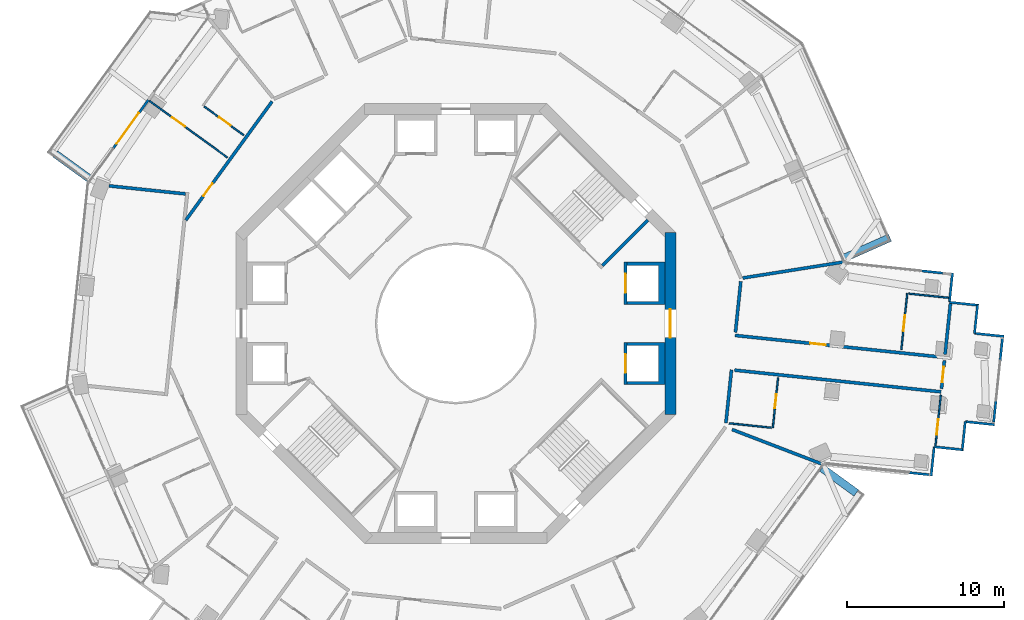
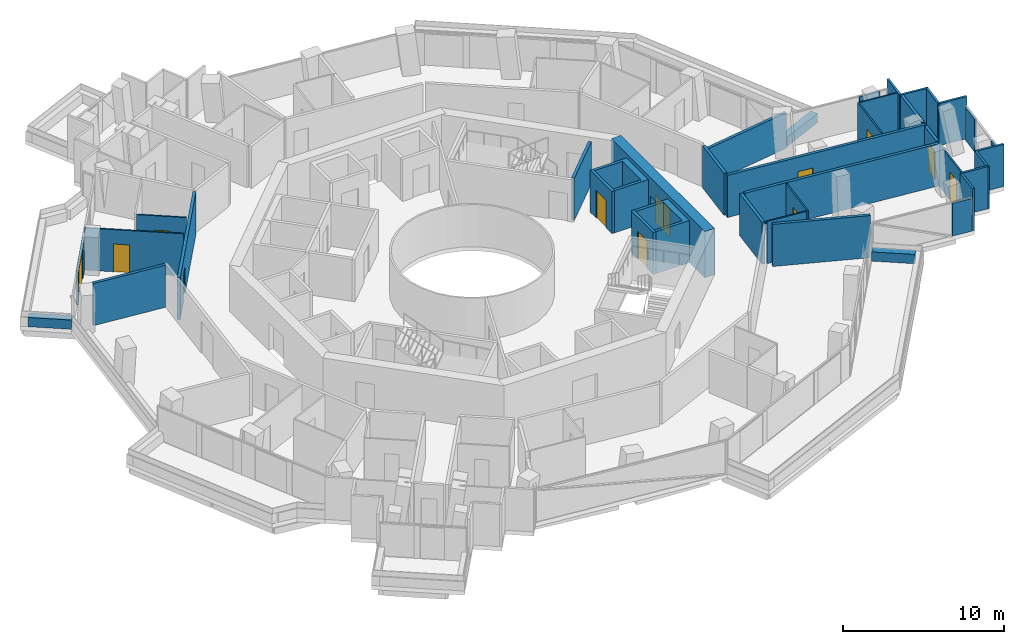
# One storey, part 18 of 23: 39 walls, 12 doors, 12 openings.
"""IFC4 building model written with IfcOpenShell, lengths in metres."""

from ifc_helpers import new_model, si_unit, direction, frame, frame_2d, origin, place, context, subcontext, project, spatial, polyline, rectangle, outline, extrude, material, layer, layer_set, type_object, element, fill, save


model = new_model("IFC4")

# Units and contexts
model_context = context("Model", 3, precision=1e-05, world=origin(), true_north=direction((0.0, 1.0)))
body_context = subcontext(model_context, "Body", "Model", "MODEL_VIEW")
ifc_project = project(units=[si_unit("LENGTHUNIT", "METRE"), si_unit("AREAUNIT", "SQUARE_METRE"), si_unit("VOLUMEUNIT", "CUBIC_METRE"), si_unit("PLANEANGLEUNIT", "RADIAN"), si_unit("MASSUNIT", "GRAM", prefix="KILO")], contexts=[model_context])

# Site, building, storey
site_placement = place(None, origin())
site = spatial("IfcSite", under=ifc_project, at=site_placement, CompositionType="ELEMENT")
building_placement = place(site_placement, origin())
building = spatial("IfcBuilding", under=site, at=building_placement, Name="Verdalira Terraces Hotel", CompositionType="ELEMENT")
storey_placement = place(building_placement, frame((0.0, 0.0, 133.0)))
storey = spatial("IfcBuildingStorey", under=building, at=storey_placement, Name="L31", CompositionType="ELEMENT", Elevation=133.0)

# Walls
ifc_material_1 = material(Name="Concrete C40", Category="concrete")
ifc_layer_1 = layer(ifc_material_1, 0.5)
ifc_layer_set_1 = layer_set([ifc_layer_1], Name="Balcony planter trough with tree")
wall_type_1 = type_object("IfcWallType", Name="Balcony planter trough with tree", PredefinedType="SOLIDWALL", material=ifc_layer_set_1)
for number, where, z_axis, x_axis, name in (
    (1, (-25.483398, 10.789307, 0.0), (0.0, 0.0, 1.0), (0.809025441, -0.587773626, 0.0), "Balcony planter"),
    (2, (25.483398, -10.789307, 0.0), (0.0, 0.0, 1.0), (-0.809025441, 0.587773626, 0.0), "Balcony planter"),
):
    element("IfcWall", number, at=place(storey_placement, frame(where, z_axis=z_axis, x_axis=x_axis)), inside=storey, type_object=wall_type_1, Name=name, PredefinedType="SOLIDWALL", context=body_context, shape_type="SweptSolid", body=[
        extrude(rectangle(XDim=2.698975, YDim=0.5, at=frame_2d((1.349609, 0.0))), origin(), (0.0, 0.0, 1.0), 0.699951),
    ])
wall_1_placement = place(storey_placement, frame((24.704102, 4.157471, 0.0), z_axis=(0.0, 0.0, 1.0), x_axis=(0.913528084, 0.406775663, 0.0)))
element("IfcWall", 3, at=wall_1_placement, inside=storey, type_object=wall_type_1, Name="Balcony planter", PredefinedType="SOLIDWALL", context=body_context, shape_type="SweptSolid", body=[
    extrude(rectangle(XDim=3.198975, YDim=0.5, at=frame_2d((1.599609, 0.0))), origin(), (0.0, 0.0, 1.0), 0.699951),
])

# Wall, opening, door
ifc_material_2 = material(Name="Moisture-resistant gypsum board partition")
ifc_layer_2 = layer(ifc_material_2, 0.10009765625)
ifc_layer_set_2 = layer_set([ifc_layer_2], Name="Bathroom partition 100 mm")
wall_type_2 = type_object("IfcWallType", Name="Bathroom partition 100 mm", PredefinedType="PARTITIONING", material=ifc_layer_set_2)
wall_2_placement = place(storey_placement, frame((-19.503906, 14.17041, 0.0), z_axis=(0.0, 0.0, 1.0), x_axis=(0.809020962, -0.587779791, 0.0)))
wall_2 = element("IfcWall", 4, at=wall_2_placement, inside=storey, type_object=wall_type_2, Name="Bathroom partition", PredefinedType="PARTITIONING", context=body_context, shape_type="SweptSolid", body=[
    extrude(rectangle(XDim=6.149902, YDim=0.100098, at=frame_2d((3.074951, 0.0))), origin(), (0.0, 0.0, 1.0), 3.189941),
])
opening_1_placement = place(wall_2_placement, frame((1.800049, 0.0, 0.0)))
opening_1 = element("IfcOpeningElement", 5, at=opening_1_placement, cuts=wall_2, Name="Opening L31-107", PredefinedType="OPENING", context=body_context, shape_type="SweptSolid", body=[
    extrude(rectangle(XDim=1.0, YDim=2.100098, at=frame_2d((0.5, 1.050049))), frame((0.0, 0.060059, 0.0), z_axis=(0.0, -1.0, 0.0), x_axis=(1.0, 0.0, 0.0)), (0.0, 0.0, 1.0), 0.120117),
])
ifc_material_3 = material(Name="Timber door", Category="wood")
door_type_1 = type_object("IfcDoorType", Name="Suite internal door 1000 x 2100", OperationType="NOTDEFINED", PredefinedType="DOOR", material=ifc_material_3)
door_1_placement = place(opening_1_placement, origin())
door_1 = element("IfcDoor", 6, at=door_1_placement, inside=storey, type_object=door_type_1, Name="Suite internal door 3103", OperationType="SINGLE_SWING_LEFT", OverallHeight=2.10009765625, OverallWidth=1.0, PredefinedType="DOOR", context=body_context, shape_type="SweptSolid", body=[
    extrude(rectangle(XDim=1.0, YDim=2.100098, at=frame_2d((0.5, 1.050049))), frame((0.0, 0.024902, 0.0), z_axis=(0.0, -1.0, 0.0), x_axis=(1.0, 0.0, 0.0)), (0.0, 0.0, 1.0), 0.050049),
])
fill(opening_1, door_1)

wall_3_placement = place(storey_placement, frame((-16.00293, 13.800293, 0.0), z_axis=(0.0, 0.0, 1.0), x_axis=(0.809018674, -0.58778294, 0.0)))
wall_3 = element("IfcWall", 7, at=wall_3_placement, inside=storey, type_object=wall_type_2, Name="Bathroom partition", PredefinedType="PARTITIONING", context=body_context, shape_type="SweptSolid", body=[
    extrude(rectangle(XDim=3.099854, YDim=0.100098, at=frame_2d((1.549805, 0.0))), origin(), (0.0, 0.0, 1.0), 3.189941),
])
opening_2_placement = place(wall_3_placement, frame((1.149902, 0.0, 0.0)))
opening_2 = element("IfcOpeningElement", 8, at=opening_2_placement, cuts=wall_3, Name="Opening L31-108", PredefinedType="OPENING", context=body_context, shape_type="SweptSolid", body=[
    extrude(rectangle(XDim=0.899902, YDim=2.100098, at=frame_2d((0.449951, 1.050049))), frame((0.0, 0.060059, 0.0), z_axis=(0.0, -1.0, 0.0), x_axis=(1.0, 0.0, 0.0)), (0.0, 0.0, 1.0), 0.120117),
])
ifc_material_4 = material(Name="Timber door", Category="wood")
door_type_2 = type_object("IfcDoorType", Name="Bathroom door 900 x 2100", OperationType="NOTDEFINED", PredefinedType="DOOR", material=ifc_material_4)
door_2_placement = place(opening_2_placement, origin())
door_2 = element("IfcDoor", 9, at=door_2_placement, inside=storey, type_object=door_type_2, Name="Bathroom door 3103", OperationType="SINGLE_SWING_LEFT", OverallHeight=2.10009765625, OverallWidth=0.89990234375, PredefinedType="DOOR", context=body_context, shape_type="SweptSolid", body=[
    extrude(rectangle(XDim=0.899902, YDim=2.100098, at=frame_2d((0.449951, 1.050049))), frame((0.0, 0.024902, 0.0), z_axis=(0.0, -1.0, 0.0), x_axis=(1.0, 0.0, 0.0)), (0.0, 0.0, 1.0), 0.050049),
])
fill(opening_2, door_2)

# Wall
wall_4_placement = place(storey_placement, frame((17.389648, -6.352539, 0.0), z_axis=(0.0, 0.0, 1.0), x_axis=(0.994521297, -0.104534153, 0.0)))
element("IfcWall", 10, at=wall_4_placement, inside=storey, type_object=wall_type_2, Name="Bathroom partition", PredefinedType="PARTITIONING", context=body_context, shape_type="SweptSolid", body=[
    extrude(rectangle(XDim=2.699951, YDim=0.100098, at=frame_2d((1.350098, 0.0))), origin(), (0.0, 0.0, 1.0), 3.189941),
])

# Wall, opening, door
wall_5_placement = place(storey_placement, frame((20.174316, -6.645264, 0.0), z_axis=(0.0, 0.0, 1.0), x_axis=(0.104517989, 0.994522996, 0.0)))
wall_5 = element("IfcWall", 11, at=wall_5_placement, inside=storey, type_object=wall_type_2, Name="Bathroom partition", PredefinedType="PARTITIONING", context=body_context, shape_type="SweptSolid", body=[
    extrude(rectangle(XDim=3.200195, YDim=0.100098, at=frame_2d((1.600098, 0.0))), origin(), (0.0, 0.0, 1.0), 3.189941),
])
opening_3_placement = place(wall_5_placement, frame((1.25, 0.0, 0.0)))
opening_3 = element("IfcOpeningElement", 12, at=opening_3_placement, cuts=wall_5, Name="Opening L31-123", PredefinedType="OPENING", context=body_context, shape_type="SweptSolid", body=[
    extrude(rectangle(XDim=0.899902, YDim=2.100098, at=frame_2d((0.449951, 1.050049))), frame((0.0, 0.060059, 0.0), z_axis=(0.0, -1.0, 0.0), x_axis=(1.0, 0.0, 0.0)), (0.0, 0.0, 1.0), 0.120117),
])
door_3_placement = place(opening_3_placement, origin())
door_3 = element("IfcDoor", 13, at=door_3_placement, inside=storey, type_object=door_type_2, Name="Bathroom door 3108", OperationType="SINGLE_SWING_LEFT", OverallHeight=2.10009765625, OverallWidth=0.89990234375, PredefinedType="DOOR", context=body_context, shape_type="SweptSolid", body=[
    extrude(rectangle(XDim=0.899902, YDim=2.100098, at=frame_2d((0.449951, 1.050049))), frame((0.0, 0.024902, 0.0), z_axis=(0.0, -1.0, 0.0), x_axis=(1.0, 0.0, 0.0)), (0.0, 0.0, 1.0), 0.050049),
])
fill(opening_3, door_3)

wall_6_placement = place(storey_placement, frame((28.728516, 1.907471, 0.0), z_axis=(0.0, 0.0, 1.0), x_axis=(-0.104504745, -0.994524388, 0.0)))
wall_6 = element("IfcWall", 14, at=wall_6_placement, inside=storey, type_object=wall_type_2, Name="Bathroom partition", PredefinedType="PARTITIONING", context=body_context, shape_type="SweptSolid", body=[
    extrude(rectangle(XDim=3.600098, YDim=0.100098, at=frame_2d((1.800049, 0.0))), origin(), (0.0, 0.0, 1.0), 3.189941),
])
opening_4_placement = place(wall_6_placement, frame((1.399902, 0.0, 0.0)))
opening_4 = element("IfcOpeningElement", 15, at=opening_4_placement, cuts=wall_6, Name="Opening L31-125", PredefinedType="OPENING", context=body_context, shape_type="SweptSolid", body=[
    extrude(rectangle(XDim=1.0, YDim=2.100098, at=frame_2d((0.5, 1.050049))), frame((0.0, 0.060059, 0.0), z_axis=(0.0, -1.0, 0.0), x_axis=(1.0, 0.0, 0.0)), (0.0, 0.0, 1.0), 0.120117),
])
ifc_material_5 = material(Name="Timber door", Category="wood")
door_type_3 = type_object("IfcDoorType", Name="Bathroom door 1000 x 2100", OperationType="NOTDEFINED", PredefinedType="DOOR", material=ifc_material_5)
door_4_placement = place(opening_4_placement, origin())
door_4 = element("IfcDoor", 16, at=door_4_placement, inside=storey, type_object=door_type_3, Name="Bathroom door 3109", OperationType="SINGLE_SWING_LEFT", OverallHeight=2.10009765625, OverallWidth=1.0, PredefinedType="DOOR", context=body_context, shape_type="SweptSolid", body=[
    extrude(rectangle(XDim=1.0, YDim=2.100098, at=frame_2d((0.5, 1.050049))), frame((0.0, 0.024902, 0.0), z_axis=(0.0, -1.0, 0.0), x_axis=(1.0, 0.0, 0.0)), (0.0, 0.0, 1.0), 0.050049),
])
fill(opening_4, door_4)

# Wall
wall_7_placement = place(storey_placement, frame((28.827881, 1.896973, 0.0), z_axis=(0.0, 0.0, 1.0), x_axis=(0.994530081, -0.104450551, 0.0)))
element("IfcWall", 17, at=wall_7_placement, inside=storey, type_object=wall_type_2, Name="Bathroom partition", PredefinedType="PARTITIONING", context=body_context, shape_type="SweptSolid", body=[
    extrude(rectangle(XDim=2.550049, YDim=0.100098, at=frame_2d((1.274902, 0.0))), origin(), (0.0, 0.0, 1.0), 3.189941),
])

# Wall, opening, door
wall_8_placement = place(storey_placement, frame((30.525146, -7.7854, 0.0), z_axis=(0.0, 0.0, 1.0), x_axis=(0.104505013, 0.99452436, 0.0)))
wall_8 = element("IfcWall", 18, at=wall_8_placement, inside=storey, type_object=wall_type_2, Name="Bathroom partition", PredefinedType="PARTITIONING", context=body_context, shape_type="SweptSolid", body=[
    extrude(rectangle(XDim=3.251953, YDim=0.100098, at=frame_2d((1.625977, 0.0))), origin(), (0.0, 0.0, 1.0), 3.189941),
])
opening_5_placement = place(wall_8_placement, frame((0.699951, 0.0, 0.0)))
opening_5 = element("IfcOpeningElement", 19, at=opening_5_placement, cuts=wall_8, Name="Opening L31-122", PredefinedType="OPENING", context=body_context, shape_type="SweptSolid", body=[
    extrude(rectangle(XDim=1.0, YDim=2.100098, at=frame_2d((0.5, 1.050049))), frame((0.0, 0.060059, 0.0), z_axis=(0.0, -1.0, 0.0), x_axis=(1.0, 0.0, 0.0)), (0.0, 0.0, 1.0), 0.120117),
])
door_5_placement = place(opening_5_placement, origin())
door_5 = element("IfcDoor", 20, at=door_5_placement, inside=storey, type_object=door_type_1, Name="Suite internal door 3108", OperationType="SINGLE_SWING_LEFT", OverallHeight=2.10009765625, OverallWidth=1.0, PredefinedType="DOOR", context=body_context, shape_type="SweptSolid", body=[
    extrude(rectangle(XDim=1.0, YDim=2.100098, at=frame_2d((0.5, 1.050049))), frame((0.0, 0.024902, 0.0), z_axis=(0.0, -1.0, 0.0), x_axis=(1.0, 0.0, 0.0)), (0.0, 0.0, 1.0), 0.050049),
])
fill(opening_5, door_5)

# Wall
ifc_material_6 = material(Name="Concrete C50", Category="concrete")
ifc_layer_3 = layer(ifc_material_6, 0.199951171875)
ifc_layer_set_3 = layer_set([ifc_layer_3], Name="Core RC wall 200 C50")
wall_type_3 = type_object("IfcWallType", Name="Core RC wall 200 C50", PredefinedType="SOLIDWALL", material=ifc_layer_set_3)
wall_9_placement = place(storey_placement, origin())
element("IfcWall", 21, at=wall_9_placement, inside=storey, type_object=wall_type_3, Name="L31 shaft wall E1", PredefinedType="SOLIDWALL", context=body_context, shape_type="SweptSolid", body=[
    extrude(outline(polyline([(13.300049, -3.899902), (10.899902, -3.899902), (10.899902, -3.699951), (12.899902, -3.699951), (12.899902, -1.399902), (10.899902, -1.399902), (10.899902, -1.199951), (13.300049, -1.199951), (13.300049, -3.899902)])), origin(), (0.0, 0.0, 1.0), 3.189941),
])

# Wall, opening, door
wall_10_placement = place(storey_placement, frame((10.800049, -1.199951, 0.0), z_axis=(0.0, 0.0, 1.0), x_axis=(0.0, -1.0, 0.0)))
wall_10 = element("IfcWall", 22, at=wall_10_placement, inside=storey, type_object=wall_type_3, Name="L31 shaft front wall E1", PredefinedType="SOLIDWALL", context=body_context, shape_type="SweptSolid", body=[
    extrude(rectangle(XDim=2.699951, YDim=0.199951, at=frame_2d((1.350098, 0.0))), origin(), (0.0, 0.0, 1.0), 3.189941),
])
opening_6_placement = place(wall_10_placement, frame((0.75, 0.0, 0.0)))
opening_6 = element("IfcOpeningElement", 23, at=opening_6_placement, cuts=wall_10, Name="Opening LD-L31-801", PredefinedType="OPENING", context=body_context, shape_type="SweptSolid", body=[
    extrude(rectangle(XDim=1.199951, YDim=2.100098, at=frame_2d((0.600098, 1.050049))), frame((0.0, 0.109863, 0.0), z_axis=(0.0, -1.0, 0.0), x_axis=(1.0, 0.0, 0.0)), (0.0, 0.0, 1.0), 0.219971),
])
ifc_material_7 = material(Name="Stainless steel", Category="steel")
door_type_4 = type_object("IfcDoorType", Name="Landing door 1200 x 2100", OperationType="NOTDEFINED", PredefinedType="DOOR", material=ifc_material_7)
door_6_placement = place(opening_6_placement, origin())
door_6 = element("IfcDoor", 24, at=door_6_placement, inside=storey, type_object=door_type_4, Name="Lift landing door LR1 L31", OperationType="DOUBLE_DOOR_SLIDING", OverallHeight=2.10009765625, OverallWidth=1.199951171875, PredefinedType="DOOR", context=body_context, shape_type="SweptSolid", body=[
    extrude(rectangle(XDim=1.199951, YDim=2.100098, at=frame_2d((0.600098, 1.050049))), frame((0.0, 0.024902, 0.0), z_axis=(0.0, -1.0, 0.0), x_axis=(1.0, 0.0, 0.0)), (0.0, 0.0, 1.0), 0.050049),
])
fill(opening_6, door_6)

# Wall
wall_11_placement = place(storey_placement, origin())
element("IfcWall", 25, at=wall_11_placement, inside=storey, type_object=wall_type_3, Name="L31 shaft wall E2", PredefinedType="SOLIDWALL", context=body_context, shape_type="SweptSolid", body=[
    extrude(outline(polyline([(13.300049, 3.899902), (13.300049, 1.199951), (10.899902, 1.199951), (10.899902, 1.399902), (12.899902, 1.399902), (12.899902, 3.699951), (10.899902, 3.699951), (10.899902, 3.899902), (13.300049, 3.899902)])), origin(), (0.0, 0.0, 1.0), 3.189941),
])

# Wall, opening, door
wall_12_placement = place(storey_placement, frame((10.800049, 1.199951, 0.0), z_axis=(0.0, 0.0, 1.0), x_axis=(0.0, 1.0, 0.0)))
wall_12 = element("IfcWall", 26, at=wall_12_placement, inside=storey, type_object=wall_type_3, Name="L31 shaft front wall E2", PredefinedType="SOLIDWALL", context=body_context, shape_type="SweptSolid", body=[
    extrude(rectangle(XDim=2.699951, YDim=0.199951, at=frame_2d((1.350098, 0.0))), origin(), (0.0, 0.0, 1.0), 3.189941),
])
opening_7_placement = place(wall_12_placement, frame((0.75, 0.0, 0.0)))
opening_7 = element("IfcOpeningElement", 27, at=opening_7_placement, cuts=wall_12, Name="Opening LD-L31-802", PredefinedType="OPENING", context=body_context, shape_type="SweptSolid", body=[
    extrude(rectangle(XDim=1.199951, YDim=2.100098, at=frame_2d((0.600098, 1.050049))), frame((0.0, 0.109863, 0.0), z_axis=(0.0, -1.0, 0.0), x_axis=(1.0, 0.0, 0.0)), (0.0, 0.0, 1.0), 0.219971),
])
door_7_placement = place(opening_7_placement, origin())
door_7 = element("IfcDoor", 28, at=door_7_placement, inside=storey, type_object=door_type_4, Name="Lift landing door LR2 L31", OperationType="DOUBLE_DOOR_SLIDING", OverallHeight=2.10009765625, OverallWidth=1.199951171875, PredefinedType="DOOR", context=body_context, shape_type="SweptSolid", body=[
    extrude(rectangle(XDim=1.199951, YDim=2.100098, at=frame_2d((0.600098, 1.050049))), frame((0.0, 0.024902, 0.0), z_axis=(0.0, -1.0, 0.0), x_axis=(1.0, 0.0, 0.0)), (0.0, 0.0, 1.0), 0.050049),
])
fill(opening_7, door_7)

# Wall
wall_13_placement = place(storey_placement, frame((9.33374, 3.677002, 0.0), z_axis=(0.0, 0.0, 1.0), x_axis=(0.707106781, 0.707106781, 0.0)))
element("IfcWall", 29, at=wall_13_placement, inside=storey, type_object=wall_type_3, Name="L31 stair ST1 end wall 1", PredefinedType="SOLIDWALL", context=body_context, shape_type="SweptSolid", body=[
    extrude(rectangle(XDim=4.100098, YDim=0.199951, at=frame_2d((2.050049, 0.0))), origin(), (0.0, 0.0, 1.0), 3.189941),
])

# Wall, opening, door
ifc_material_8 = material(Name="Concrete C60", Category="concrete")
ifc_layer_4 = layer(ifc_material_8, 0.699951171875)
ifc_layer_set_4 = layer_set([ifc_layer_4], Name="Core wall 700 C60")
wall_type_4 = type_object("IfcWallType", Name="Core wall 700 C60", PredefinedType="SHEAR", material=ifc_layer_set_4)
wall_14_placement = place(storey_placement, frame((13.649902, -5.799072, 0.0), z_axis=(0.0, 0.0, 1.0), x_axis=(0.0, 1.0, 0.0)))
wall_14 = element("IfcWall", 30, at=wall_14_placement, inside=storey, type_object=wall_type_4, Name="Core wall CW-L31-1", PredefinedType="SHEAR", context=body_context, shape_type="SweptSolid", body=[
    extrude(rectangle(XDim=11.598145, YDim=0.699951, at=frame_2d((5.799072, 0.0))), origin(), (0.0, 0.0, 1.0), 3.5),
])
opening_8_placement = place(wall_14_placement, frame((4.898926, 0.0, 0.0)))
opening_8 = element("IfcOpeningElement", 31, at=opening_8_placement, cuts=wall_14, Name="Opening L31-812", PredefinedType="OPENING", context=body_context, shape_type="SweptSolid", body=[
    extrude(rectangle(XDim=1.800049, YDim=2.100098, at=frame_2d((0.899902, 1.050049))), frame((0.0, 0.359863, 0.0), z_axis=(0.0, -1.0, 0.0), x_axis=(1.0, 0.0, 0.0)), (0.0, 0.0, 1.0), 0.719971),
])
ifc_material_9 = material(Name="Steel fire door", Category="steel")
door_type_5 = type_object("IfcDoorType", Name="Core entry door pair 1800 x 2100", OperationType="NOTDEFINED", PredefinedType="DOOR", material=ifc_material_9)
door_8_placement = place(opening_8_placement, origin())
door_8 = element("IfcDoor", 32, at=door_8_placement, inside=storey, type_object=door_type_5, Name="Core entry door L31 0", OperationType="DOUBLE_DOOR_SINGLE_SWING", OverallHeight=2.10009765625, OverallWidth=1.800048828125, PredefinedType="DOOR", context=body_context, shape_type="SweptSolid", body=[
    extrude(rectangle(XDim=1.800049, YDim=2.100098, at=frame_2d((0.899902, 1.050049))), frame((0.0, 0.024902, 0.0), z_axis=(0.0, -1.0, 0.0), x_axis=(1.0, 0.0, 0.0)), (0.0, 0.0, 1.0), 0.050049),
])
fill(opening_8, door_8)

# Walls
ifc_material_10 = material(Name="Fire-rated gypsum board wall")
ifc_layer_5 = layer(ifc_material_10, 0.199951171875)
ifc_layer_set_5 = layer_set([ifc_layer_5], Name="Demising wall 200 mm")
wall_type_5 = type_object("IfcWallType", Name="Demising wall 200 mm", PredefinedType="SOLIDWALL", material=ifc_layer_set_5)
wall_15_placement = place(storey_placement, frame((17.581299, -6.748779, 0.0), z_axis=(0.0, 0.0, 1.0), x_axis=(0.933578347, -0.358373367, 0.0)))
element("IfcWall", 33, at=wall_15_placement, inside=storey, type_object=wall_type_5, Name="Demising wall", PredefinedType="SOLIDWALL", context=body_context, shape_type="SweptSolid", body=[
    extrude(rectangle(XDim=6.131836, YDim=0.199951, at=frame_2d((3.065918, 0.0))), origin(), (0.0, 0.0, 1.0), 3.189941),
])
wall_16_placement = place(storey_placement, frame((31.136719, -1.967285, 0.0), z_axis=(0.0, 0.0, 1.0), x_axis=(0.104512817, 0.99452354, 0.0)))
element("IfcWall", 34, at=wall_16_placement, inside=storey, type_object=wall_type_5, Name="Demising wall", PredefinedType="SOLIDWALL", context=body_context, shape_type="SweptSolid", body=[
    extrude(rectangle(XDim=3.251709, YDim=0.199951, at=frame_2d((1.625977, 0.0))), origin(), (0.0, 0.0, 1.0), 3.189941),
])
ifc_material_11 = material(Name="Fire-rated gypsum board wall")
ifc_layer_6 = layer(ifc_material_11, 0.199951171875)
ifc_layer_set_6 = layer_set([ifc_layer_6], Name="Demising wall 200 mm to beam soffit")
wall_type_6 = type_object("IfcWallType", Name="Demising wall 200 mm to beam soffit", PredefinedType="SOLIDWALL", material=ifc_layer_set_6)
wall_17_placement = place(storey_placement, frame((18.260742, 2.89209, 0.0), z_axis=(0.0, 0.0, 1.0), x_axis=(0.987684586, 0.156458166, 0.0)))
element("IfcWall", 35, at=wall_17_placement, inside=storey, type_object=wall_type_6, Name="Demising wall", PredefinedType="SOLIDWALL", context=body_context, shape_type="SweptSolid", body=[
    extrude(rectangle(XDim=6.47583, YDim=0.199951, at=frame_2d((3.237793, 0.0))), origin(), (0.0, 0.0, 1.0), 2.689941),
])

# Wall, opening, door
ifc_material_12 = material(Name="Fire-rated gypsum board wall")
ifc_layer_7 = layer(ifc_material_12, 0.199951171875)
ifc_layer_set_7 = layer_set([ifc_layer_7], Name="Guest corridor wall 200 mm")
wall_type_7 = type_object("IfcWallType", Name="Guest corridor wall 200 mm", PredefinedType="SOLIDWALL", material=ifc_layer_set_7)
wall_18_placement = place(storey_placement, frame((-17.175293, 6.572266, 0.0), z_axis=(0.0, 0.0, 1.0), x_axis=(0.587764273, 0.809032236, 0.0)))
wall_18 = element("IfcWall", 36, at=wall_18_placement, inside=storey, type_object=wall_type_7, Name="Guest corridor wall", PredefinedType="SOLIDWALL", context=body_context, shape_type="SweptSolid", body=[
    extrude(rectangle(XDim=9.33667, YDim=0.199951, at=frame_2d((4.668457, 0.0))), origin(), (0.0, 0.0, 1.0), 3.189941),
])
opening_9_placement = place(wall_18_placement, frame((1.899902, 0.0, 0.0)))
opening_9 = element("IfcOpeningElement", 37, at=opening_9_placement, cuts=wall_18, Name="Opening L31-106", PredefinedType="OPENING", context=body_context, shape_type="SweptSolid", body=[
    extrude(rectangle(XDim=1.0, YDim=2.100098, at=frame_2d((0.5, 1.050049))), frame((0.0, 0.109863, 0.0), z_axis=(0.0, -1.0, 0.0), x_axis=(1.0, 0.0, 0.0)), (0.0, 0.0, 1.0), 0.219971),
])
ifc_material_13 = material(Name="Timber fire door", Category="wood")
door_type_6 = type_object("IfcDoorType", Name="Guest entry door 1000 x 2100", OperationType="NOTDEFINED", PredefinedType="DOOR", material=ifc_material_13)
door_9_placement = place(opening_9_placement, origin())
door_9 = element("IfcDoor", 38, at=door_9_placement, inside=storey, type_object=door_type_6, Name="Guest entry door 3103", OperationType="SINGLE_SWING_LEFT", OverallHeight=2.10009765625, OverallWidth=1.0, PredefinedType="DOOR", context=body_context, shape_type="SweptSolid", body=[
    extrude(rectangle(XDim=1.0, YDim=2.100098, at=frame_2d((0.5, 1.050049))), frame((0.0, 0.024902, 0.0), z_axis=(0.0, -1.0, 0.0), x_axis=(1.0, 0.0, 0.0)), (0.0, 0.0, 1.0), 0.050049),
])
fill(opening_9, door_9)

# Walls
wall_19_placement = place(storey_placement, frame((17.190674, -6.331543, 0.0), z_axis=(0.0, 0.0, 1.0), x_axis=(0.10455022, 0.994519608, 0.0)))
element("IfcWall", 39, at=wall_19_placement, inside=storey, type_object=wall_type_7, Name="Guest corridor wall", PredefinedType="SOLIDWALL", context=body_context, shape_type="SweptSolid", body=[
    extrude(rectangle(XDim=3.399902, YDim=0.199951, at=frame_2d((1.699951, 0.0))), origin(), (0.0, 0.0, 1.0), 3.189941),
])
wall_20_placement = place(storey_placement, frame((17.796875, -0.563477, 0.0), z_axis=(0.0, 0.0, 1.0), x_axis=(0.104524868, 0.994522273, 0.0)))
element("IfcWall", 40, at=wall_20_placement, inside=storey, type_object=wall_type_7, Name="Guest corridor wall", PredefinedType="SOLIDWALL", context=body_context, shape_type="SweptSolid", body=[
    extrude(rectangle(XDim=3.258301, YDim=0.199951, at=frame_2d((1.62915, 0.0))), origin(), (0.0, 0.0, 1.0), 3.189941),
])
wall_21_placement = place(storey_placement, frame((17.745117, -2.971191, 0.0), z_axis=(0.0, 0.0, 1.0), x_axis=(0.994522348, -0.10452416, 0.0)))
element("IfcWall", 41, at=wall_21_placement, inside=storey, type_object=wall_type_7, Name="Guest corridor wall", PredefinedType="SOLIDWALL", context=body_context, shape_type="SweptSolid", body=[
    extrude(rectangle(XDim=13.213135, YDim=0.199951, at=frame_2d((6.606445, 0.0))), origin(), (0.0, 0.0, 1.0), 3.189941),
])

# Wall, opening, door
wall_22_placement = place(storey_placement, frame((17.775879, -0.762207, 0.0), z_axis=(0.0, 0.0, 1.0), x_axis=(0.994521896, -0.104528454, 0.0)))
wall_22 = element("IfcWall", 42, at=wall_22_placement, inside=storey, type_object=wall_type_7, Name="Guest corridor wall", PredefinedType="SOLIDWALL", context=body_context, shape_type="SweptSolid", body=[
    extrude(rectangle(XDim=13.413574, YDim=0.199951, at=frame_2d((6.706787, 0.0))), origin(), (0.0, 0.0, 1.0), 3.189941),
])
opening_10_placement = place(wall_22_placement, frame((4.800049, 0.0, 0.0)))
opening_10 = element("IfcOpeningElement", 43, at=opening_10_placement, cuts=wall_22, Name="Opening L31-124", PredefinedType="OPENING", context=body_context, shape_type="SweptSolid", body=[
    extrude(rectangle(XDim=1.0, YDim=2.100098, at=frame_2d((0.5, 1.050049))), frame((0.0, 0.109863, 0.0), z_axis=(0.0, -1.0, 0.0), x_axis=(1.0, 0.0, 0.0)), (0.0, 0.0, 1.0), 0.219971),
])
door_10_placement = place(opening_10_placement, origin())
door_10 = element("IfcDoor", 44, at=door_10_placement, inside=storey, type_object=door_type_6, Name="Guest entry door 3109", OperationType="SINGLE_SWING_LEFT", OverallHeight=2.10009765625, OverallWidth=1.0, PredefinedType="DOOR", context=body_context, shape_type="SweptSolid", body=[
    extrude(rectangle(XDim=1.0, YDim=2.100098, at=frame_2d((0.5, 1.050049))), frame((0.0, 0.024902, 0.0), z_axis=(0.0, -1.0, 0.0), x_axis=(1.0, 0.0, 0.0)), (0.0, 0.0, 1.0), 0.050049),
])
fill(opening_10, door_10)

wall_23_placement = place(storey_placement, frame((31.095215, -2.361328, 0.0), z_axis=(0.0, 0.0, 1.0), x_axis=(-0.104473448, -0.994527676, 0.0)))
wall_23 = element("IfcWall", 45, at=wall_23_placement, inside=storey, type_object=wall_type_7, Name="Guest corridor wall", PredefinedType="SOLIDWALL", context=body_context, shape_type="SweptSolid", body=[
    extrude(rectangle(XDim=1.803955, YDim=0.199951, at=frame_2d((0.901855, 0.0))), origin(), (0.0, 0.0, 1.0), 3.189941),
])
opening_11_placement = place(wall_23_placement, frame((0.399902, 0.0, 0.0)))
opening_11 = element("IfcOpeningElement", 46, at=opening_11_placement, cuts=wall_23, Name="Opening L31-121", PredefinedType="OPENING", context=body_context, shape_type="SweptSolid", body=[
    extrude(rectangle(XDim=1.0, YDim=2.100098, at=frame_2d((0.5, 1.050049))), frame((0.0, 0.109863, 0.0), z_axis=(0.0, -1.0, 0.0), x_axis=(1.0, 0.0, 0.0)), (0.0, 0.0, 1.0), 0.219971),
])
door_11_placement = place(opening_11_placement, origin())
door_11 = element("IfcDoor", 47, at=door_11_placement, inside=storey, type_object=door_type_6, Name="Guest entry door 3108", OperationType="SINGLE_SWING_LEFT", OverallHeight=2.10009765625, OverallWidth=1.0, PredefinedType="DOOR", context=body_context, shape_type="SweptSolid", body=[
    extrude(rectangle(XDim=1.0, YDim=2.100098, at=frame_2d((0.5, 1.050049))), frame((0.0, 0.024902, 0.0), z_axis=(0.0, -1.0, 0.0), x_axis=(1.0, 0.0, 0.0)), (0.0, 0.0, 1.0), 0.050049),
])
fill(opening_11, door_11)

# Walls
ifc_material_14 = material(Name="Terracotta cladding", Category="masonry")
ifc_layer_8 = layer(ifc_material_14, 0.199951171875)
ifc_layer_set_8 = layer_set([ifc_layer_8], Name="Loggia back wall 200")
wall_type_8 = type_object("IfcWallType", Name="Loggia back wall 200", PredefinedType="SOLIDWALL", material=ifc_layer_set_8)
wall_24_placement = place(storey_placement, frame((-22.068359, 8.754639, 0.0), z_axis=(0.0, 0.0, 1.0), x_axis=(0.994525892, -0.104490432, 0.0)))
element("IfcWall", 48, at=wall_24_placement, inside=storey, type_object=wall_type_8, Name="Loggia side wall", PredefinedType="SOLIDWALL", context=body_context, shape_type="SweptSolid", body=[
    extrude(rectangle(XDim=4.904297, YDim=0.199951, at=frame_2d((2.452148, 0.0))), origin(), (0.0, 0.0, 1.0), 3.189941),
])
ifc_material_15 = material(Name="Terracotta cladding", Category="masonry")
ifc_layer_9 = layer(ifc_material_15, 0.14990234375)
ifc_layer_set_9 = layer_set([ifc_layer_9], Name="Terracotta clad wall 150")
wall_type_9 = type_object("IfcWallType", Name="Terracotta clad wall 150", PredefinedType="SOLIDWALL", material=ifc_layer_set_9)
wall_25_placement = place(storey_placement, frame((30.24707, -9.714844, 0.0), z_axis=(0.0, 0.0, 1.0), x_axis=(0.104427218, 0.994532531, 0.0)))
element("IfcWall", 49, at=wall_25_placement, inside=storey, type_object=wall_type_9, Name="Terracotta cladding wall", PredefinedType="SOLIDWALL", context=body_context, shape_type="SweptSolid", body=[
    extrude(rectangle(XDim=1.875, YDim=0.149902, at=frame_2d((0.9375, 0.0))), origin(), (0.0, 0.0, 1.0), 3.189941),
])
wall_26_placement = place(storey_placement, frame((30.442871, -7.850098, 0.0), z_axis=(0.0, 0.0, 1.0), x_axis=(0.994518079, -0.104564767, 0.0)))
element("IfcWall", 50, at=wall_26_placement, inside=storey, type_object=wall_type_9, Name="Terracotta cladding wall", PredefinedType="SOLIDWALL", context=body_context, shape_type="SweptSolid", body=[
    extrude(rectangle(XDim=1.800049, YDim=0.149902, at=frame_2d((0.899902, 0.0))), origin(), (0.0, 0.0, 1.0), 3.189941),
])
wall_27_placement = place(storey_placement, frame((32.225342, -8.112793, 0.0), z_axis=(0.0, 0.0, 1.0), x_axis=(0.104440743, 0.994531111, 0.0)))
element("IfcWall", 51, at=wall_27_placement, inside=storey, type_object=wall_type_9, Name="Terracotta cladding wall", PredefinedType="SOLIDWALL", context=body_context, shape_type="SweptSolid", body=[
    extrude(rectangle(XDim=1.874756, YDim=0.149902, at=frame_2d((0.9375, 0.0))), origin(), (0.0, 0.0, 1.0), 3.189941),
])
for number, where, z_axis, x_axis, name in (
    (52, (32.421143, -6.248291, 0.0), (0.0, 0.0, 1.0), (0.994532531, -0.104427218, 0.0), "Terracotta cladding wall"),
    (53, (34.876465, -0.825195, 0.0), (0.0, 0.0, 1.0), (-0.994519, 0.104556004, 0.0), "Terracotta cladding wall"),
):
    element("IfcWall", number, at=place(storey_placement, frame(where, z_axis=z_axis, x_axis=x_axis)), inside=storey, type_object=wall_type_9, Name=name, PredefinedType="SOLIDWALL", context=body_context, shape_type="SweptSolid", body=[
        extrude(rectangle(XDim=1.875, YDim=0.149902, at=frame_2d((0.9375, 0.0))), origin(), (0.0, 0.0, 1.0), 3.189941),
    ])
wall_28_placement = place(storey_placement, frame((33.011719, -0.62915, 0.0), z_axis=(0.0, 0.0, 1.0), x_axis=(0.104564767, 0.994518079, 0.0)))
element("IfcWall", 54, at=wall_28_placement, inside=storey, type_object=wall_type_9, Name="Terracotta cladding wall", PredefinedType="SOLIDWALL", context=body_context, shape_type="SweptSolid", body=[
    extrude(rectangle(XDim=1.800049, YDim=0.149902, at=frame_2d((0.899902, 0.0))), origin(), (0.0, 0.0, 1.0), 3.189941),
])
for number, where, z_axis, x_axis, name in (
    (55, (33.274658, 1.153076, 0.0), (0.0, 0.0, 1.0), (-0.994519, 0.104556004, 0.0), "Terracotta cladding wall"),
    (56, (31.409912, 1.349121, 0.0), (0.0, 0.0, 1.0), (0.104556004, 0.994519, 0.0), "Terracotta cladding wall"),
):
    element("IfcWall", number, at=place(storey_placement, frame(where, z_axis=z_axis, x_axis=x_axis)), inside=storey, type_object=wall_type_9, Name=name, PredefinedType="SOLIDWALL", context=body_context, shape_type="SweptSolid", body=[
        extrude(rectangle(XDim=1.875, YDim=0.149902, at=frame_2d((0.9375, 0.0))), origin(), (0.0, 0.0, 1.0), 3.189941),
    ])
ifc_material_16 = material(Name="Terracotta cladding", Category="masonry")
ifc_layer_10 = layer(ifc_material_16, 0.14990234375)
ifc_layer_set_10 = layer_set([ifc_layer_10], Name="Terracotta column pier 150")
wall_type_10 = type_object("IfcWallType", Name="Terracotta column pier 150", PredefinedType="SOLIDWALL", material=ifc_layer_set_10)
wall_29_placement = place(storey_placement, frame((28.852051, -9.49292, 0.0), z_axis=(0.0, 0.0, 1.0), x_axis=(0.994518131, -0.104564273, 0.0)))
element("IfcWall", 57, at=wall_29_placement, inside=storey, type_object=wall_type_10, Name="Terracotta column pier", PredefinedType="SOLIDWALL", context=body_context, shape_type="SweptSolid", body=[
    extrude(rectangle(XDim=1.265381, YDim=0.149902, at=frame_2d((0.632812, 0.0))), origin(), (0.0, 0.0, 1.0), 2.475098),
])
wall_30_placement = place(storey_placement, frame((34.227539, -6.282227, 0.0), z_axis=(0.0, 0.0, 1.0), x_axis=(0.104565457, 0.994518006, 0.0)))
element("IfcWall", 58, at=wall_30_placement, inside=storey, type_object=wall_type_10, Name="Terracotta column pier", PredefinedType="SOLIDWALL", context=body_context, shape_type="SweptSolid", body=[
    extrude(rectangle(XDim=1.384521, YDim=0.149902, at=frame_2d((0.692383, 0.0))), origin(), (0.0, 0.0, 1.0), 2.475098),
])
wall_31_placement = place(storey_placement, frame((34.638428, -2.373779, 0.0), z_axis=(0.0, 0.0, 1.0), x_axis=(0.104576631, 0.994516832, 0.0)))
element("IfcWall", 59, at=wall_31_placement, inside=storey, type_object=wall_type_10, Name="Terracotta column pier", PredefinedType="SOLIDWALL", context=body_context, shape_type="SweptSolid", body=[
    extrude(rectangle(XDim=1.410156, YDim=0.149902, at=frame_2d((0.705078, 0.0))), origin(), (0.0, 0.0, 1.0), 2.475098),
])
wall_32_placement = place(storey_placement, frame((30.996338, 3.202637, 0.0), z_axis=(0.0, 0.0, 1.0), x_axis=(-0.994533212, 0.10442074, 0.0)))
element("IfcWall", 60, at=wall_32_placement, inside=storey, type_object=wall_type_10, Name="Terracotta column pier", PredefinedType="SOLIDWALL", context=body_context, shape_type="SweptSolid", body=[
    extrude(rectangle(XDim=1.395752, YDim=0.149902, at=frame_2d((0.697754, 0.0))), origin(), (0.0, 0.0, 1.0), 2.475098),
])

# Wall, opening, door
ifc_material_17 = material(Name="Terracotta cladding", Category="masonry")
ifc_layer_11 = layer(ifc_material_17, 0.14990234375)
ifc_layer_set_11 = layer_set([ifc_layer_11], Name="Terracotta door pier 150")
wall_type_11 = type_object("IfcWallType", Name="Terracotta door pier 150", PredefinedType="SOLIDWALL", material=ifc_layer_set_11)
wall_33_placement = place(storey_placement, frame((-19.564697, 14.2146, 0.0), z_axis=(0.0, 0.0, 1.0), x_axis=(-0.58777044, -0.809027756, 0.0)))
wall_33 = element("IfcWall", 61, at=wall_33_placement, inside=storey, type_object=wall_type_11, Name="Terracotta door pier", PredefinedType="SOLIDWALL", context=body_context, shape_type="SweptSolid", body=[
    extrude(rectangle(XDim=3.835449, YDim=0.149902, at=frame_2d((1.917725, 0.0))), origin(), (0.0, 0.0, 1.0), 2.475098),
])
opening_12_placement = place(wall_33_placement, frame((1.0354, 0.0, 0.0)))
opening_12 = element("IfcOpeningElement", 62, at=opening_12_placement, cuts=wall_33, Name="Opening L31-B03", PredefinedType="OPENING", context=body_context, shape_type="SweptSolid", body=[
    extrude(rectangle(XDim=2.399902, YDim=2.399902, at=frame_2d((1.199951, 1.199951))), frame((0.0, 0.084961, 0.0), z_axis=(0.0, -1.0, 0.0), x_axis=(1.0, 0.0, 0.0)), (0.0, 0.0, 1.0), 0.169922),
])
ifc_material_18 = material(Name="Clear glass", Category="glass")
door_type_7 = type_object("IfcDoorType", Name="Balcony sliding door 2400x2400", OperationType="NOTDEFINED", PredefinedType="DOOR", material=ifc_material_18)
door_12_placement = place(opening_12_placement, origin())
door_12 = element("IfcDoor", 63, at=door_12_placement, inside=storey, type_object=door_type_7, Name="Balcony sliding door", OperationType="SLIDING_TO_LEFT", OverallHeight=2.39990234375, OverallWidth=2.39990234375, PredefinedType="DOOR", context=body_context, shape_type="SweptSolid", body=[
    extrude(rectangle(XDim=2.399902, YDim=2.399902, at=frame_2d((1.199951, 1.199951))), frame((0.0, 0.024902, 0.0), z_axis=(0.0, -1.0, 0.0), x_axis=(1.0, 0.0, 0.0)), (0.0, 0.0, 1.0), 0.050049),
])
fill(opening_12, door_12)

save(model, "model.ifc")
